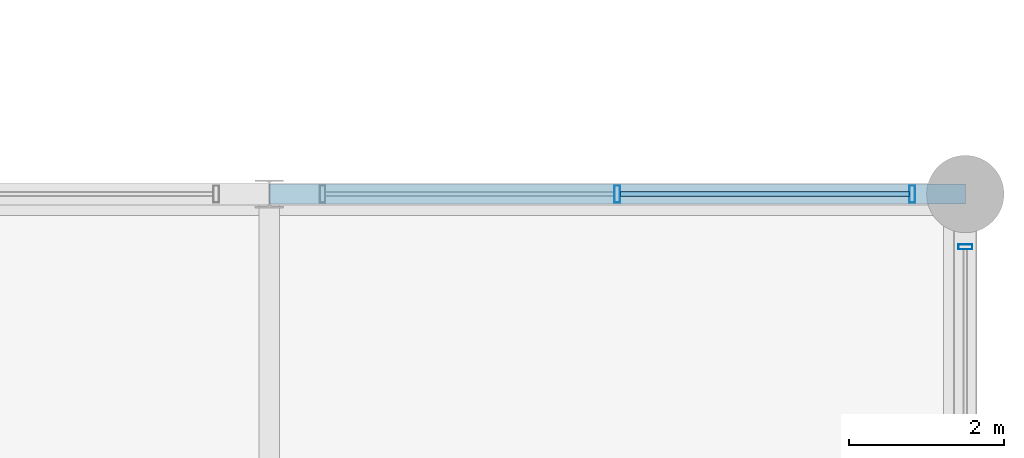
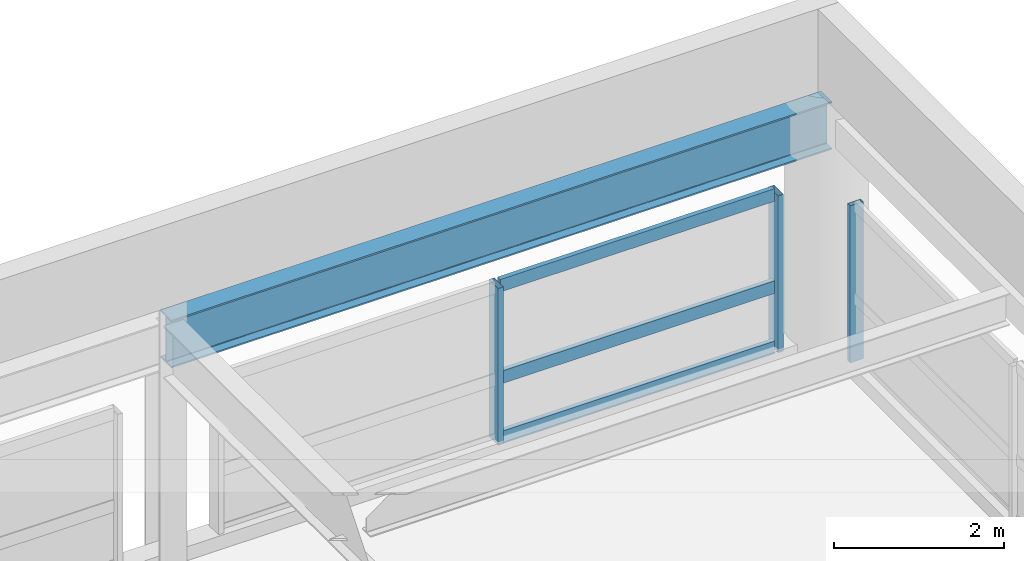
# One storey, part 66 of 108: 6 members, 1 beam, 2 elements without a shape of their own.
"""IFC4 building model written with IfcOpenShell, lengths in metres."""

from ifc_helpers import new_model, si_unit, direction, frame, origin, origin_2d, place, context, subcontext, project, spatial, hollow_rectangle, i_section, extrude, material, material_profile, profile_set, type_object, element, aggregate, save


model = new_model("IFC4")

# Units and contexts
model_context = context("Model", 3, precision=1e-05, world=origin(), true_north=direction((0.0, 1.0)))
body_context = subcontext(model_context, "Body", "Model", "MODEL_VIEW")
ifc_project = project(units=[si_unit("LENGTHUNIT", "METRE"), si_unit("AREAUNIT", "SQUARE_METRE"), si_unit("VOLUMEUNIT", "CUBIC_METRE"), si_unit("PLANEANGLEUNIT", "RADIAN"), si_unit("MASSUNIT", "GRAM", prefix="KILO")], contexts=[model_context])

# Site, building, storey
site_placement = place(None, origin())
site = spatial("IfcSite", under=ifc_project, at=site_placement, CompositionType="ELEMENT")
building_placement = place(site_placement, origin())
building = spatial("IfcBuilding", under=site, at=building_placement, Name="Kaldorvane Square Convention Centre", CompositionType="ELEMENT")
storey_placement = place(building_placement, frame((0.0, 0.0, 23.399993896484375)))
storey = spatial("IfcBuildingStorey", under=building, at=storey_placement, Name="L04", CompositionType="ELEMENT", Elevation=23.399993896484375)

# Beam
ifc_material_1 = material(Name="Steel ASTM A992 Gr. 50", Category="steel")
ifc_material_profile_1 = material_profile(ifc_material_1, i_section(OverallWidth=0.25439453125, OverallDepth=0.6880950927734375, WebThickness=0.0131072998046875, FlangeThickness=0.0211029052734375, FilletRadius=0.01519775390625, at=origin_2d()), Name="W27X102")
ifc_profile_set_1 = profile_set([ifc_material_profile_1], Name="Steel ASTM A992 Gr. 50")
beam_type = type_object("IfcBeamType", Name="BM-GR-W27X102", PredefinedType="BEAM", material=ifc_profile_set_1)
beam_placement = place(storey_placement, frame((165.0, 36.0, 3.1819000244140625), z_axis=(1.0, 0.0, 0.0), x_axis=(0.0, 1.0, 0.0)))
element("IfcBeam", 1, at=beam_placement, inside=storey, type_object=beam_type, Name="Primary Girder (L04)", PredefinedType="BEAM", context=body_context, shape_type="SweptSolid", body=[
    extrude(i_section(OverallWidth=0.25439453125, OverallDepth=0.6880950927734375, WebThickness=0.0131072998046875, FlangeThickness=0.0211029052734375, FilletRadius=0.01519775390625, at=origin_2d()), origin(), (0.0, 0.0, 1.0), 9.0),
])

# Curtain wall, member
ifc_material_2 = material(Name="Anodized Aluminum and Low-E Insulated Glazing", Category="aluminium")
curtain_wall_type_1 = type_object("IfcCurtainWallType", Name="CW-UNI-P42-09", PredefinedType="USERDEFINED", material=ifc_material_2)
curtain_wall_1_placement = place(storey_placement, origin())
curtain_wall_1 = element("IfcCurtainWall", 2, at=curtain_wall_1_placement, inside=storey, type_object=curtain_wall_type_1, Name="Curtain Wall CW-06 (L04)", ObjectType="UNITISED GLAZING", PredefinedType="USERDEFINED")
ifc_material_profile_2 = material_profile(ifc_material_2, hollow_rectangle(XDim=0.06500244140625, YDim=0.17999267578125, WallThickness=0.0034942626953125, at=origin_2d()), Name="CWM-180X65")
ifc_profile_set_2 = profile_set([ifc_material_profile_2], Name="Anodized Aluminum and Low-E Insulated Glazing")
member_type_1 = type_object("IfcMemberType", Name="CW-MUL-180", PredefinedType="MULLION", material=ifc_profile_set_2)
member_1_placement = place(storey_placement, frame((174.0, 35.3175048828125, 0.1500091552734375), z_axis=(0.0, 0.0, 1.0), x_axis=(0.0, 1.0, 0.0)))
member_1 = element("IfcMember", 3, at=member_1_placement, type_object=member_type_1, Name="CW-06 mullion 3", PredefinedType="MULLION", context=body_context, shape_type="SweptSolid", body=[
    extrude(hollow_rectangle(XDim=0.06500244140625, YDim=0.17999267578125, WallThickness=0.0034942626953125, at=origin_2d()), origin(), (0.0, 0.0, 1.0), 2.2599945068359375),
])
aggregate(curtain_wall_1, [member_1])

# Curtain wall, members
curtain_wall_type_2 = type_object("IfcCurtainWallType", Name="CW-PTS-FC-42", PredefinedType="USERDEFINED", material=ifc_material_2)
curtain_wall_2_placement = place(storey_placement, origin())
curtain_wall_2 = element("IfcCurtainWall", 4, at=curtain_wall_2_placement, inside=storey, type_object=curtain_wall_type_2, Name="Curtain Wall CW-09 (L04)", ObjectType="POINT SUPPORTED GLAZING", PredefinedType="USERDEFINED")
ifc_material_profile_3 = material_profile(ifc_material_2, hollow_rectangle(XDim=0.0749969482421875, YDim=0.220001220703125, WallThickness=0.003997802734375, at=origin_2d()), Name="CWM-220X75")
ifc_profile_set_3 = profile_set([ifc_material_profile_3], Name="Anodized Aluminum and Low-E Insulated Glazing")
member_type_2 = type_object("IfcMemberType", Name="CW-MUL-220", PredefinedType="MULLION", material=ifc_profile_set_3)
member_2_placement = place(storey_placement, frame((173.3125, 36.0, 0.1500091552734375), z_axis=(0.0, 0.0, 1.0), x_axis=(-1.0, 0.0, 0.0)))
member_2 = element("IfcMember", 5, at=member_2_placement, type_object=member_type_2, Name="CW-09 mullion 1", PredefinedType="MULLION", context=body_context, shape_type="SweptSolid", body=[
    extrude(hollow_rectangle(XDim=0.0749969482421875, YDim=0.220001220703125, WallThickness=0.003997802734375, at=origin_2d()), origin(), (0.0, 0.0, 1.0), 2.2599945068359375),
])
member_3_placement = place(storey_placement, frame((169.5, 36.0, 0.1500091552734375), z_axis=(0.0, 0.0, 1.0), x_axis=(-1.0, 0.0, 0.0)))
member_3 = element("IfcMember", 6, at=member_3_placement, type_object=member_type_2, Name="CW-09 mullion 2", PredefinedType="MULLION", context=body_context, shape_type="SweptSolid", body=[
    extrude(hollow_rectangle(XDim=0.0749969482421875, YDim=0.220001220703125, WallThickness=0.003997802734375, at=origin_2d()), origin(), (0.0, 0.0, 1.0), 2.2599945068359375),
])
ifc_material_profile_4 = material_profile(ifc_material_2, hollow_rectangle(XDim=0.06500244140625, YDim=0.17999267578125, WallThickness=0.0034942626953125, at=origin_2d()), Name="CWT-180X65")
ifc_profile_set_4 = profile_set([ifc_material_profile_4], Name="Anodized Aluminum and Low-E Insulated Glazing")
member_type_3 = type_object("IfcMemberType", Name="CW-TRN-180", PredefinedType="USERDEFINED", material=ifc_profile_set_4)
member_4_placement = place(storey_placement, frame((173.27499389648438, 36.0, 0.1825103759765625), z_axis=(-1.0, 0.0, 0.0), x_axis=(0.0, -1.0, 0.0)))
member_4 = element("IfcMember", 7, at=member_4_placement, type_object=member_type_3, Name="CW-09 transom 1.1", ObjectType="TRANSOM", PredefinedType="USERDEFINED", context=body_context, shape_type="SweptSolid", body=[
    extrude(hollow_rectangle(XDim=0.06500244140625, YDim=0.17999267578125, WallThickness=0.0034942626953125, at=origin_2d()), origin(), (0.0, 0.0, 1.0), 3.73748779296875),
])
member_5_placement = place(storey_placement, frame((173.27499389648438, 36.0, 1.0500030517578125), z_axis=(-1.0, 0.0, 0.0), x_axis=(0.0, -1.0, 0.0)))
member_5 = element("IfcMember", 8, at=member_5_placement, type_object=member_type_3, Name="CW-09 transom 1.2", ObjectType="TRANSOM", PredefinedType="USERDEFINED", context=body_context, shape_type="SweptSolid", body=[
    extrude(hollow_rectangle(XDim=0.06500244140625, YDim=0.17999267578125, WallThickness=0.0034942626953125, at=origin_2d()), origin(), (0.0, 0.0, 1.0), 3.73748779296875),
])
member_6_placement = place(storey_placement, frame((173.27499389648438, 36.0, 2.37750244140625), z_axis=(-1.0, 0.0, 0.0), x_axis=(0.0, -1.0, 0.0)))
member_6 = element("IfcMember", 9, at=member_6_placement, type_object=member_type_3, Name="CW-09 transom 1.3", ObjectType="TRANSOM", PredefinedType="USERDEFINED", context=body_context, shape_type="SweptSolid", body=[
    extrude(hollow_rectangle(XDim=0.06500244140625, YDim=0.17999267578125, WallThickness=0.0034942626953125, at=origin_2d()), origin(), (0.0, 0.0, 1.0), 3.73748779296875),
])
aggregate(curtain_wall_2, [member_2, member_3, member_4, member_5, member_6])

save(model, "model.ifc")
